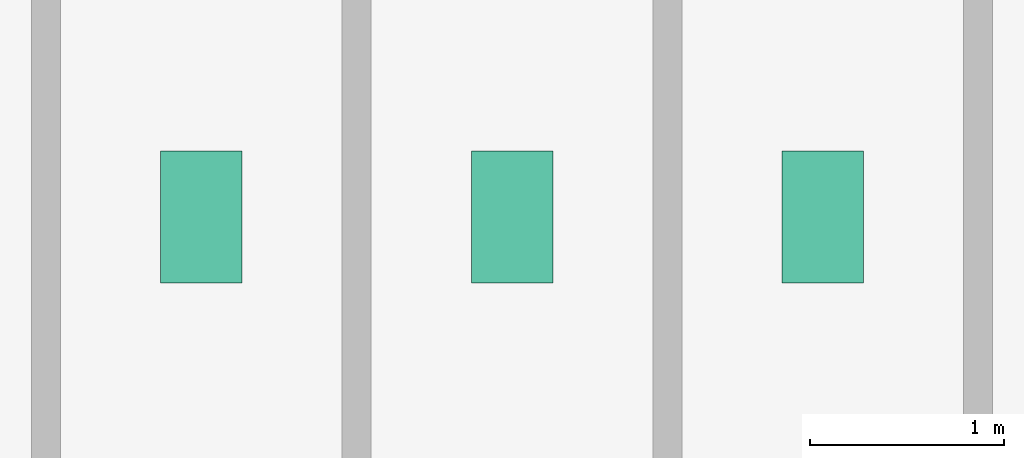
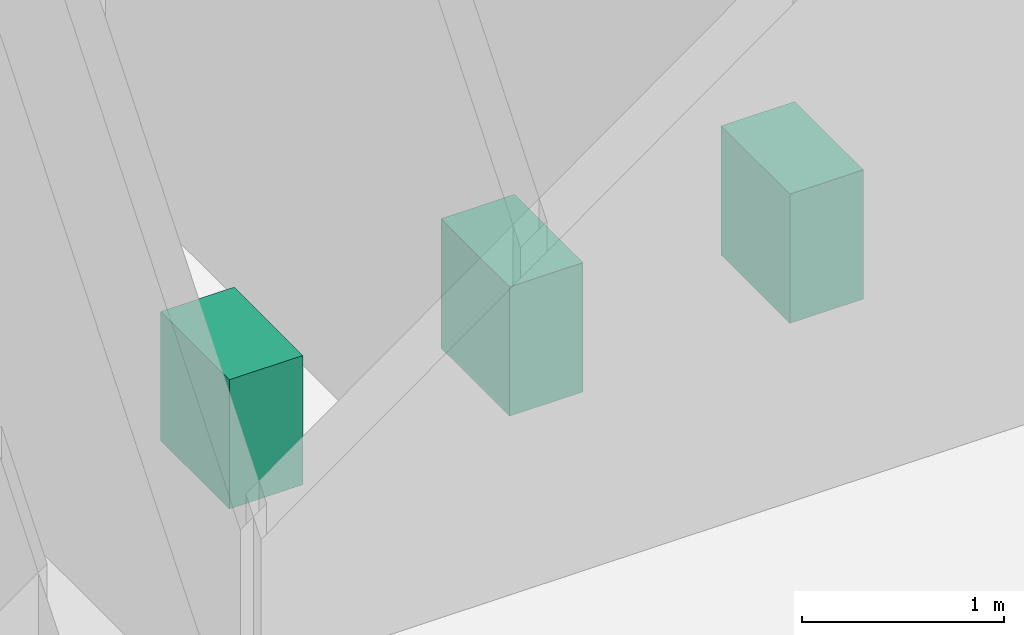
# One storey, part 21 of 21: 3 sanitary terminals.
"""IFC4 building model written with IfcOpenShell, lengths in metres."""

from ifc_helpers import new_model, si_unit, derived_unit, direction, frame, origin, origin_2d, place, context, subcontext, project, spatial, rectangle, extrude, source, transform, mapped, material, type_object, element, save


model = new_model("IFC4")

# Units and contexts
model_context = context("Model", 3, precision=1e-05, world=origin(), true_north=direction((0.0, 1.0)))
body_context = subcontext(model_context, "Body", "Model", "MODEL_VIEW")
ifc_project = project(units=[si_unit("LENGTHUNIT", "METRE"), si_unit("AREAUNIT", "SQUARE_METRE"), si_unit("VOLUMEUNIT", "CUBIC_METRE"), si_unit("PLANEANGLEUNIT", "RADIAN"), si_unit("MASSUNIT", "GRAM", prefix="KILO"), derived_unit("THERMALTRANSMITTANCEUNIT", [(si_unit("POWERUNIT", "WATT"), 1), (si_unit("LENGTHUNIT", "METRE"), -2), (si_unit("THERMODYNAMICTEMPERATUREUNIT", "KELVIN"), -1)])], contexts=[model_context])

# Site, building, storey
site_placement = place(None, origin())
site = spatial("IfcSite", under=ifc_project, at=site_placement, CompositionType="ELEMENT")
building_placement = place(site_placement, origin())
building = spatial("IfcBuilding", under=site, at=building_placement, Name="Skarnbrae Concourse Arena and Tower", CompositionType="ELEMENT")
storey_placement = place(building_placement, frame((0.0, 0.0, 188.60009765625)))
storey = spatial("IfcBuildingStorey", under=building, at=storey_placement, Name="L48", CompositionType="ELEMENT", Elevation=188.60009765625)

# Sanitary terminals
ifc_material = material(Name="Vitreous china sanitaryware", Category="other")
sanitary_terminal_type = type_object("IfcSanitaryTerminalType", Name="SAN-WC-VITREOUS", PredefinedType="TOILETPAN", material=ifc_material)
shared_shape = source(origin(), body_context, "Body", "SweptSolid", [
    extrude(rectangle(XDim=0.419921875, YDim=0.679931640625, at=origin_2d()), origin(), (0.0, 0.0, 1.0), 0.780029296875),
])
for number, where, z_axis, x_axis, name in (
    (1, (35.0, 11.39990234375, 0.0), (0.0, 0.0, 1.0), (1.0, 0.0, 0.0), "L48 Washroom WC fixture 1"),
    (2, (36.60009765625, 11.39990234375, 0.0), (0.0, 0.0, 1.0), (1.0, 0.0, 0.0), "L48 Washroom WC fixture 2"),
    (3, (38.199951171875, 11.39990234375, 0.0), (0.0, 0.0, 1.0), (1.0, 0.0, 0.0), "L48 Washroom WC fixture 3"),
):
    element("IfcSanitaryTerminal", number, at=place(storey_placement, frame(where, z_axis=z_axis, x_axis=x_axis)), inside=storey, type_object=sanitary_terminal_type, Name=name, PredefinedType="TOILETPAN", context=body_context, shape_type="MappedRepresentation", body=[
        mapped(shared_shape, transform((0.0, 0.0, 0.0))),
    ])

save(model, "model.ifc")
